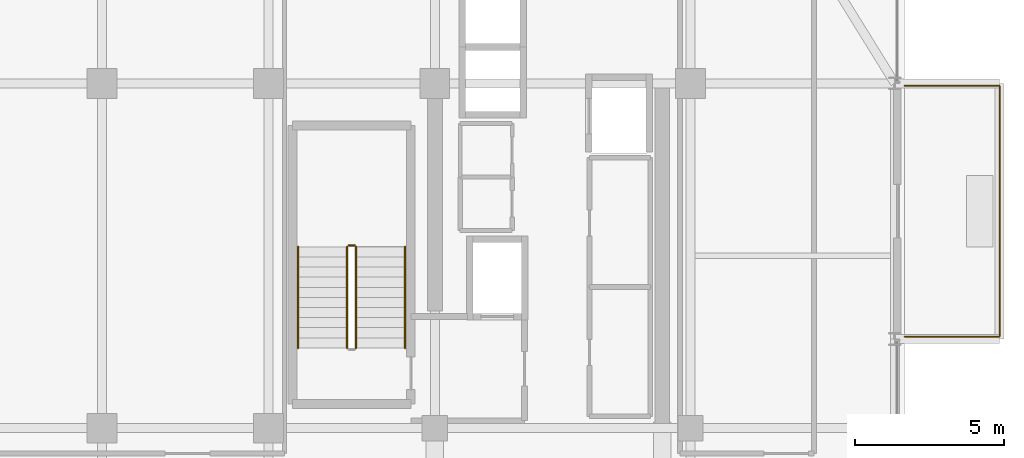
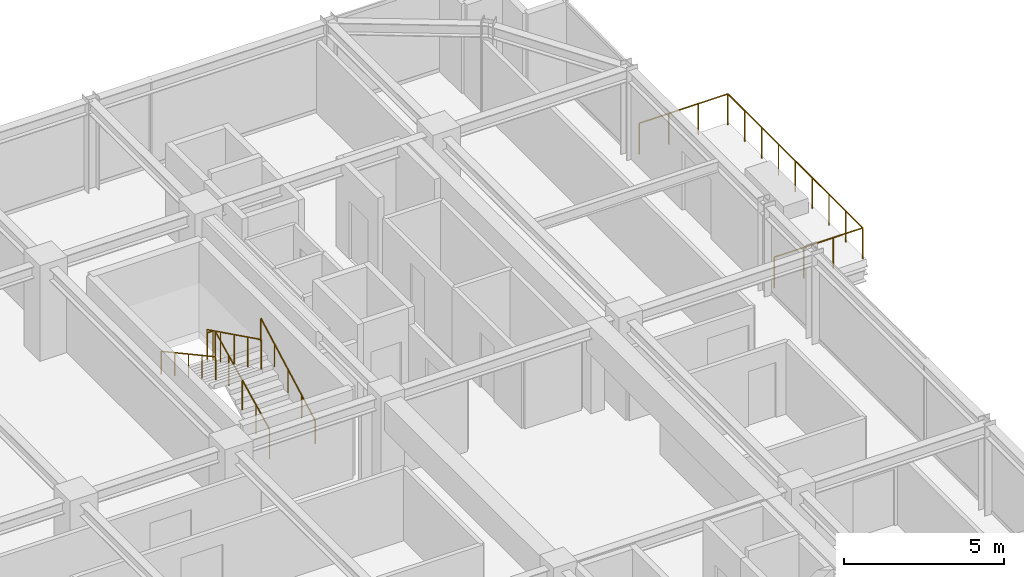
# One storey, part 35 of 36: 6 railings.
"""IFC4 building model written with IfcOpenShell, lengths in metres."""

from ifc_helpers import new_model, si_unit, direction, frame, origin, origin_2d, place, context, subcontext, project, spatial, circle, extrude, material, type_object, element, save


model = new_model("IFC4")

# Units and contexts
model_context = context("Model", 3, precision=1e-05, world=origin(), true_north=direction((0.0, 1.0)))
body_context = subcontext(model_context, "Body", "Model", "MODEL_VIEW")
ifc_project = project(units=[si_unit("LENGTHUNIT", "METRE"), si_unit("AREAUNIT", "SQUARE_METRE"), si_unit("VOLUMEUNIT", "CUBIC_METRE"), si_unit("PLANEANGLEUNIT", "RADIAN"), si_unit("MASSUNIT", "GRAM", prefix="KILO")], contexts=[model_context])

# Site, building, storey
site_placement = place(None, origin())
site = spatial("IfcSite", under=ifc_project, at=site_placement, CompositionType="ELEMENT")
building_placement = place(site_placement, origin())
building = spatial("IfcBuilding", under=site, at=building_placement, Name="Nahalor Promenade Grand Hotel", CompositionType="ELEMENT")
storey_placement = place(building_placement, frame((0.0, 0.0, 253.0)))
storey = spatial("IfcBuildingStorey", under=building, at=storey_placement, Name="L65", CompositionType="ELEMENT", Elevation=253.0)

# Railings
ifc_material_1 = material(Name="Anodised Bronze Aluminium EN AW-6063 T6", Category="aluminium")
railing_type_1 = type_object("IfcRailingType", Name="Bronze Balcony Guardrail 1200 mm", PredefinedType="GUARDRAIL", material=ifc_material_1)
railing_1_placement = place(storey_placement, frame((24.199951171875, 8.47998046875, 0.0)))
element("IfcRailing", 1, at=railing_1_placement, inside=storey, type_object=railing_type_1, Name="L65 Balcony Guardrail 2", PredefinedType="GUARDRAIL", context=body_context, shape_type="SweptSolid", body=[
    extrude(circle(Radius=0.024048, at=origin_2d()), frame((0.0, 0.0, 1.17578125), z_axis=(1.0, 0.0, 0.0), x_axis=(0.0, 1.0, 0.0)), (0.0, 0.0, 1.0), 3.197998046875),
    extrude(circle(Radius=0.024048, at=origin_2d()), frame((3.199951171875, 0.001953125, 1.17578125), z_axis=(0.0, 1.0, 0.0), x_axis=(-1.0, 0.0, 0.0)), (0.0, 0.0, 1.0), 8.43603515625),
    extrude(circle(Radius=0.024048, at=origin_2d()), frame((3.197998046875, 8.43994140625, 1.17578125), z_axis=(-1.0, 0.0, 0.0), x_axis=(0.0, -1.0, 0.0)), (0.0, 0.0, 1.0), 3.197998046875),
    extrude(circle(Radius=0.020996, at=origin_2d()), origin(), (0.0, 0.0, 1.0), 1.14990234375),
    extrude(circle(Radius=0.020996, at=origin_2d()), frame((1.066650390625, 0.0, 0.0)), (0.0, 0.0, 1.0), 1.14990234375),
    extrude(circle(Radius=0.020996, at=origin_2d()), frame((2.13330078125, 0.0, 0.0)), (0.0, 0.0, 1.0), 1.14990234375),
    extrude(circle(Radius=0.020996, at=origin_2d()), frame((3.199951171875, 0.0, 0.0)), (0.0, 0.0, 1.0), 1.14990234375),
    extrude(circle(Radius=0.020996, at=origin_2d()), frame((3.199951171875, 1.054931640625, 0.0)), (0.0, 0.0, 1.0), 1.14990234375),
    extrude(circle(Radius=0.020996, at=origin_2d()), frame((3.199951171875, 2.10986328125, 0.0)), (0.0, 0.0, 1.0), 1.14990234375),
    extrude(circle(Radius=0.020996, at=origin_2d()), frame((3.199951171875, 3.1650390625, 0.0)), (0.0, 0.0, 1.0), 1.14990234375),
    extrude(circle(Radius=0.020996, at=origin_2d()), frame((3.199951171875, 4.219970703125, 0.0)), (0.0, 0.0, 1.0), 1.14990234375),
    extrude(circle(Radius=0.020996, at=origin_2d()), frame((3.199951171875, 5.27490234375, 0.0)), (0.0, 0.0, 1.0), 1.14990234375),
    extrude(circle(Radius=0.020996, at=origin_2d()), frame((3.199951171875, 6.330078125, 0.0)), (0.0, 0.0, 1.0), 1.14990234375),
    extrude(circle(Radius=0.020996, at=origin_2d()), frame((3.199951171875, 7.385009765625, 0.0)), (0.0, 0.0, 1.0), 1.14990234375),
    extrude(circle(Radius=0.020996, at=origin_2d()), frame((3.199951171875, 8.43994140625, 0.0)), (0.0, 0.0, 1.0), 1.14990234375),
    extrude(circle(Radius=0.020996, at=origin_2d()), frame((2.13330078125, 8.43994140625, 0.0)), (0.0, 0.0, 1.0), 1.14990234375),
    extrude(circle(Radius=0.020996, at=origin_2d()), frame((1.066650390625, 8.43994140625, 0.0)), (0.0, 0.0, 1.0), 1.14990234375),
    extrude(circle(Radius=0.020996, at=origin_2d()), frame((0.0, 8.43994140625, 0.0)), (0.0, 0.0, 1.0), 1.14990234375),
])
ifc_material_2 = material(Name="Steel S355JR", Category="steel")
railing_type_2 = type_object("IfcRailingType", Name="Steel Stair Guardrail 1150 mm", PredefinedType="GUARDRAIL", material=ifc_material_2)
railing_2_placement = place(storey_placement, frame((5.75, 8.10009765625, 0.168212890625)))
element("IfcRailing", 2, at=railing_2_placement, inside=storey, type_object=railing_type_2, Name="L65 ST1 stair guard 1", PredefinedType="GUARDRAIL", context=body_context, shape_type="SweptSolid", body=[
    extrude(circle(Radius=0.024048, at=origin_2d()), frame((0.0, 0.0, 1.1259765625), z_axis=(0.0, 0.896324230515, 0.443399226197), x_axis=(-1.0, 0.0, 0.0)), (0.0, 0.0, 1.0), 3.793212890625),
    extrude(circle(Radius=0.020996, at=origin_2d()), origin(), (0.0, 0.0, 1.0), 1.099853515625),
    extrude(circle(Radius=0.020996, at=origin_2d()), frame((0.0, 0.85009765625, 0.42041015625)), (0.0, 0.0, 1.0), 1.099853515625),
    extrude(circle(Radius=0.020996, at=origin_2d()), frame((0.0, 1.699951171875, 0.8408203125)), (0.0, 0.0, 1.0), 1.099853515625),
    extrude(circle(Radius=0.020996, at=origin_2d()), frame((0.0, 2.5498046875, 1.261474609375)), (0.0, 0.0, 1.0), 1.099853515625),
    extrude(circle(Radius=0.020996, at=origin_2d()), frame((0.0, 3.39990234375, 1.681884765625)), (0.0, 0.0, 1.0), 1.099853515625),
])
railing_3_placement = place(storey_placement, frame((5.699951171875, 11.550048828125, 1.85009765625)))
element("IfcRailing", 3, at=railing_3_placement, inside=storey, type_object=railing_type_2, Name="L65 ST1 stair guard 2", PredefinedType="GUARDRAIL", context=body_context, shape_type="SweptSolid", body=[
    extrude(circle(Radius=0.024048, at=origin_2d()), frame((0.0, 0.0, 1.1259765625), z_axis=(-1.0, 0.0, 0.0), x_axis=(0.0, -1.0, 0.0)), (0.0, 0.0, 1.0), 0.199951171875),
    extrude(circle(Radius=0.020996, at=origin_2d()), origin(), (0.0, 0.0, 1.0), 1.099853515625),
    extrude(circle(Radius=0.020996, at=origin_2d()), frame((-0.199951171875, 0.0, 0.0)), (0.0, 0.0, 1.0), 1.099853515625),
])
railing_4_placement = place(storey_placement, frame((5.449951171875, 11.5, 2.01806640625)))
element("IfcRailing", 4, at=railing_4_placement, inside=storey, type_object=railing_type_2, Name="L65 ST1 stair guard 3", PredefinedType="GUARDRAIL", context=body_context, shape_type="SweptSolid", body=[
    extrude(circle(Radius=0.024048, at=origin_2d()), frame((0.0, 0.0, 1.1259765625), z_axis=(0.0, -0.896324230515, 0.443399226197), x_axis=(1.0, 0.0, 0.0)), (0.0, 0.0, 1.0), 3.793212890625),
    extrude(circle(Radius=0.020996, at=origin_2d()), origin(), (0.0, 0.0, 1.0), 1.099853515625),
    extrude(circle(Radius=0.020996, at=origin_2d()), frame((0.0, -0.85009765625, 0.42041015625)), (0.0, 0.0, 1.0), 1.099853515625),
    extrude(circle(Radius=0.020996, at=origin_2d()), frame((0.0, -1.699951171875, 0.8408203125)), (0.0, 0.0, 1.0), 1.099853515625),
    extrude(circle(Radius=0.020996, at=origin_2d()), frame((0.0, -2.5498046875, 1.261474609375)), (0.0, 0.0, 1.0), 1.099853515625),
    extrude(circle(Radius=0.020996, at=origin_2d()), frame((0.0, -3.39990234375, 1.681884765625)), (0.0, 0.0, 1.0), 1.099853515625),
])
railing_type_3 = type_object("IfcRailingType", Name="Steel Stair Handrail 900 mm", PredefinedType="HANDRAIL", material=ifc_material_2)
railing_5_placement = place(storey_placement, frame((7.39990234375, 8.10009765625, 0.168212890625)))
element("IfcRailing", 5, at=railing_5_placement, inside=storey, type_object=railing_type_3, Name="L65 ST1 stair handrail 1", PredefinedType="HANDRAIL", context=body_context, shape_type="SweptSolid", body=[
    extrude(circle(Radius=0.024048, at=origin_2d()), frame((0.0, 0.0, 0.8759765625), z_axis=(0.0, 0.878398892953, 0.47792822145), x_axis=(-1.0, 0.0, 0.0)), (0.0, 0.0, 1.0), 3.87060546875),
    extrude(circle(Radius=0.020996, at=origin_2d()), origin(), (0.0, 0.0, 1.0), 0.849853515625),
    extrude(circle(Radius=0.020996, at=origin_2d()), frame((0.0, 0.85009765625, 0.46240234375)), (0.0, 0.0, 1.0), 0.849853515625),
    extrude(circle(Radius=0.020996, at=origin_2d()), frame((0.0, 1.699951171875, 0.9248046875)), (0.0, 0.0, 1.0), 0.849853515625),
    extrude(circle(Radius=0.020996, at=origin_2d()), frame((0.0, 2.5498046875, 1.387451171875)), (0.0, 0.0, 1.0), 0.849853515625),
    extrude(circle(Radius=0.020996, at=origin_2d()), frame((0.0, 3.39990234375, 1.849853515625)), (0.0, 0.0, 1.0), 0.849853515625),
])
railing_6_placement = place(storey_placement, frame((3.800048828125, 11.5, 2.01806640625)))
element("IfcRailing", 6, at=railing_6_placement, inside=storey, type_object=railing_type_3, Name="L65 ST1 stair handrail 2", PredefinedType="HANDRAIL", context=body_context, shape_type="SweptSolid", body=[
    extrude(circle(Radius=0.024048, at=origin_2d()), frame((0.0, 0.0, 0.8759765625), z_axis=(0.0, -0.87837241229, 0.47797688786), x_axis=(1.0, 0.0, 0.0)), (0.0, 0.0, 1.0), 3.87060546875),
    extrude(circle(Radius=0.020996, at=origin_2d()), origin(), (0.0, 0.0, 1.0), 0.849853515625),
    extrude(circle(Radius=0.020996, at=origin_2d()), frame((0.0, -0.85009765625, 0.46240234375)), (0.0, 0.0, 1.0), 0.849853515625),
    extrude(circle(Radius=0.020996, at=origin_2d()), frame((0.0, -1.699951171875, 0.925048828125)), (0.0, 0.0, 1.0), 0.849853515625),
    extrude(circle(Radius=0.020996, at=origin_2d()), frame((0.0, -2.5498046875, 1.3876953125)), (0.0, 0.0, 1.0), 0.849853515625),
    extrude(circle(Radius=0.020996, at=origin_2d()), frame((0.0, -3.39990234375, 1.85009765625)), (0.0, 0.0, 1.0), 0.849853515625),
])

save(model, "model.ifc")
